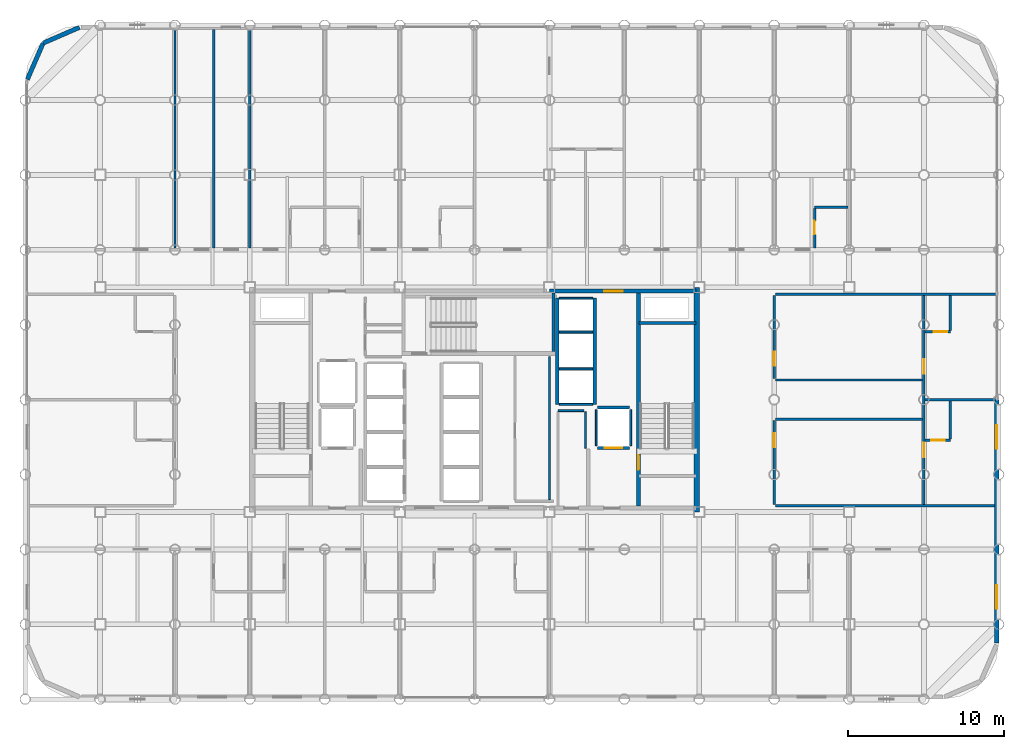
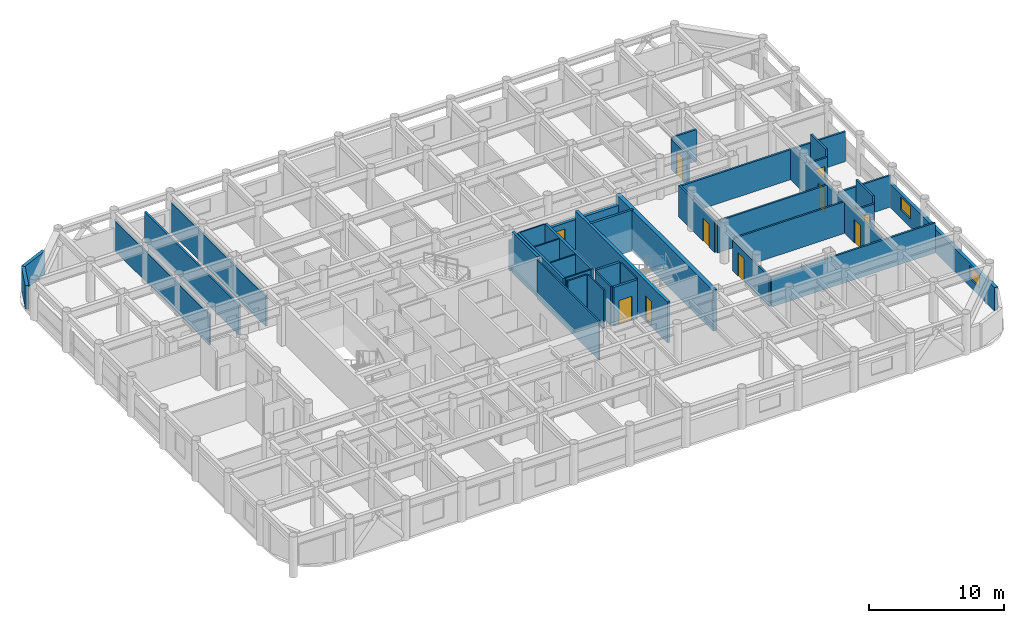
# One storey, part 20 of 22: 38 walls, 10 doors, 2 windows, 12 openings.
"""IFC4 building model written with IfcOpenShell, lengths in metres."""

import ifcopenshell
import ifcopenshell.guid

model = None  # the IFC model being written
_history = None  # IfcOwnerHistory: only IFC2X3 demands one
_inside = {}  # id of a spatial element -> (the spatial element, [elements in it])
_under = {}  # id of a project, library or spatial element -> (it, [spatial elements below it])
_declared = {}  # id of a project -> (the project, [libraries it declares])
_typed = {}  # id of a type object -> (the type object, [elements of that type])
_made_of = {}  # id of a material, layer set ... -> (it, [elements and type objects made of it])


def new_model(schema):
    """Start an empty IFC model of exactly this schema.

    Asked for "IFC4X3", IfcOpenShell would pick the latest addendum, in which some entities
    have other attributes; the version numbers below select the first issue.
    IFC2X3 requires an IfcOwnerHistory on every rooted entity: one is made here for all.
    """
    global model, _history
    if schema == "IFC4X3":
        model = ifcopenshell.file(schema_version=(4, 3, 0, 0))
    else:
        model = ifcopenshell.file(schema=schema)
    _inside.clear()
    _under.clear()
    _declared.clear()
    _typed.clear()
    _made_of.clear()
    _history = None
    if model.schema == "IFC2X3":
        org = make("IfcOrganization", Name="unknown")
        user = make(
            "IfcPersonAndOrganization",
            ThePerson=make("IfcPerson", FamilyName="unknown"),
            TheOrganization=org,
        )
        app = make(
            "IfcApplication",
            ApplicationDeveloper=org,
            Version="unknown",
            ApplicationFullName="unknown",
            ApplicationIdentifier="unknown",
        )
        _history = make(
            "IfcOwnerHistory",
            OwningUser=user,
            OwningApplication=app,
            ChangeAction="ADDED",
            CreationDate=0,
        )
    return model


def make(cls, **values):
    """One entity of the class cls with the attributes given. An attribute that is None is left unset."""
    return model.create_entity(
        cls, **{name: value for name, value in values.items() if value is not None}
    )


def rooted(cls, **values):
    """An entity with a GlobalId (a new one), such as an element, a storey or a relation."""
    return make(cls, GlobalId=ifcopenshell.guid.new(), OwnerHistory=_history, **values)


def si_unit(unit_type, name, prefix=None):
    """IfcSIUnit, for example si_unit("LENGTHUNIT", "METRE", prefix="MILLI")."""
    return make("IfcSIUnit", UnitType=unit_type, Prefix=prefix, Name=name)


def assignment(units):
    """IfcUnitAssignment: the units of a project."""
    return None if units is None else make("IfcUnitAssignment", Units=units)


def point(xyz):
    """IfcCartesianPoint."""
    return None if xyz is None else make("IfcCartesianPoint", Coordinates=xyz)


def direction(xyz):
    """IfcDirection."""
    return None if xyz is None else make("IfcDirection", DirectionRatios=xyz)


def frame(location, z_axis=None, x_axis=None):
    """IfcAxis2Placement3D, a coordinate frame: its origin and axes. An axis left out is left unset."""
    return make(
        "IfcAxis2Placement3D",
        Location=point(location),
        Axis=direction(z_axis),
        RefDirection=direction(x_axis),
    )


def frame_2d(location, x_axis=None):
    """IfcAxis2Placement2D, a coordinate frame in the plane: its origin and x axis."""
    return make(
        "IfcAxis2Placement2D", Location=point(location), RefDirection=direction(x_axis)
    )


def origin():
    """The frame at (0, 0, 0) with its axes left unset."""
    return frame((0.0, 0.0, 0.0))


def place(relative_to, where):
    """IfcLocalPlacement: puts the frame where relative to a parent placement (None: the world)."""
    return make(
        "IfcLocalPlacement", PlacementRelTo=relative_to, RelativePlacement=where
    )


def context(
    kind, dimensions, precision=None, world=None, true_north=None, identifier=None
):
    """IfcGeometricRepresentationContext, for example the 3D "Model" context."""
    return make(
        "IfcGeometricRepresentationContext",
        ContextIdentifier=identifier,
        ContextType=kind,
        CoordinateSpaceDimension=dimensions,
        Precision=precision,
        WorldCoordinateSystem=world,
        TrueNorth=true_north,
    )


def subcontext(parent, identifier, kind, view, scale=None):
    """IfcGeometricRepresentationSubContext, for example "Body" below "Model"."""
    return make(
        "IfcGeometricRepresentationSubContext",
        ContextIdentifier=identifier,
        ContextType=kind,
        ParentContext=parent,
        TargetScale=scale,
        TargetView=view,
    )


def project(units=None, contexts=None):
    """IfcProject with its units and contexts."""
    return rooted(
        "IfcProject",
        Name="project",
        RepresentationContexts=contexts,
        UnitsInContext=assignment(units),
    )


def spatial(cls, under=None, at=None, **own):
    """A site, building, storey or space (cls), placed at a placement, below another one or the project."""
    s = rooted(cls, ObjectPlacement=at, **own)
    if under is not None:
        _under.setdefault(under.id(), (under, []))[1].append(s)
    return s


def profile(cls, at=None, kind="AREA", **sizes):
    """A parametric profile (cls). Its sizes go by their IFC names, for example OverallWidth=200.0."""
    return make(cls, ProfileType=kind, Position=at, **sizes)


def rectangle(**sizes):
    """IfcRectangleProfileDef."""
    return profile("IfcRectangleProfileDef", **sizes)


def extrude(swept, where, along, depth):
    """IfcExtrudedAreaSolid: the profile swept, set in the frame where, extruded along a direction by depth."""
    return make(
        "IfcExtrudedAreaSolid",
        SweptArea=swept,
        Position=where,
        ExtrudedDirection=direction(along),
        Depth=depth,
    )


def shape(context_of_items, identifier, shape_type, items):
    """IfcShapeRepresentation: the items that make up one representation, for example the "Body"."""
    return make(
        "IfcShapeRepresentation",
        ContextOfItems=context_of_items,
        RepresentationIdentifier=identifier,
        RepresentationType=shape_type,
        Items=items,
    )


def material(Name=None, Category=None):
    """IfcMaterial."""
    return make("IfcMaterial", Name=Name, Category=Category)


def layer(
    of_material, thickness, ventilated=None, Name=None, Category=None, Priority=None
):
    """IfcMaterialLayer: one layer of a wall or slab, of a material (None: an air gap)."""
    return make(
        "IfcMaterialLayer",
        Material=of_material,
        LayerThickness=thickness,
        IsVentilated=ventilated,
        Name=Name,
        Category=Category,
        Priority=Priority,
    )


def layer_set(layers, Name=None):
    """IfcMaterialLayerSet."""
    return make("IfcMaterialLayerSet", MaterialLayers=layers, LayerSetName=Name)


def made_of(thing, what):
    """Note that an element or type object is made of a material, layer set ...; save() writes the relation."""
    if what is not None:
        _made_of.setdefault(what.id(), (what, []))[1].append(thing)
    return thing


def type_object(cls, material=None, **own):
    """A type object (cls), such as IfcWallType, which elements share."""
    return made_of(rooted(cls, **own), material)


def element(
    cls,
    number,
    at=None,
    inside=None,
    cuts=None,
    type_object=None,
    material=None,
    context=None,
    identifier="Body",
    shape_type=None,
    held_by="IfcProductDefinitionShape",
    body=None,
    shapes=None,
    **own,
):
    """One element of the class cls, such as IfcWall. Its Tag is "e" and its number.

    at: its placement. inside: the storey or other place that contains it. cuts: it is an
    opening in that element (IfcRelVoidsElement). A single representation is given by context,
    identifier, shape_type and body (its items); several are given by shapes. held_by: the class
    of the entity that holds the representations. save() writes the other relations.
    """
    e = rooted(cls, Tag="e%d" % number, ObjectPlacement=at, **own)
    if body is not None:
        shapes = [shape(context, identifier, shape_type, body)]
    if shapes is not None:
        e.Representation = make(held_by, Representations=shapes)
    if inside is not None:
        _inside.setdefault(inside.id(), (inside, []))[1].append(e)
    if cuts is not None:
        rooted(
            "IfcRelVoidsElement", RelatingBuildingElement=cuts, RelatedOpeningElement=e
        )
    if type_object is not None:
        _typed.setdefault(type_object.id(), (type_object, []))[1].append(e)
    return made_of(e, material)


def fill(opening, filler):
    """IfcRelFillsElement: the door or window that sits in an opening."""
    return rooted(
        "IfcRelFillsElement",
        RelatingOpeningElement=opening,
        RelatedBuildingElement=filler,
    )


def aggregate(whole, parts):
    """IfcRelAggregates: a whole, such as a stair, and the parts it consists of."""
    return rooted("IfcRelAggregates", RelatingObject=whole, RelatedObjects=parts)


def save(model, path):
    """Write the relations noted so far, then the file.

    IfcRelAggregates (storeys below a building ...), IfcRelContainedInSpatialStructure (elements
    in a storey), IfcRelDefinesByType, IfcRelAssociatesMaterial and IfcRelDeclares: one each for
    every whole, place, type object, material and project.
    """
    for whole, parts in _under.values():
        aggregate(whole, parts)
    for where, things in _inside.values():
        rooted(
            "IfcRelContainedInSpatialStructure",
            RelatedElements=things,
            RelatingStructure=where,
        )
    for kind, things in _typed.values():
        rooted("IfcRelDefinesByType", RelatedObjects=things, RelatingType=kind)
    for what, things in _made_of.values():
        rooted("IfcRelAssociatesMaterial", RelatedObjects=things, RelatingMaterial=what)
    for by, libraries in _declared.values():
        rooted("IfcRelDeclares", RelatingContext=by, RelatedDefinitions=libraries)
    model.write(path)


model = new_model("IFC4")

# Units and contexts
model_context = context("Model", 3, precision=1e-05, world=origin(), true_north=direction((0.0, 1.0)))
body_context = subcontext(model_context, "Body", "Model", "MODEL_VIEW")
ifc_project = project(units=[si_unit("LENGTHUNIT", "METRE"), si_unit("AREAUNIT", "SQUARE_METRE"), si_unit("VOLUMEUNIT", "CUBIC_METRE"), si_unit("PLANEANGLEUNIT", "RADIAN"), si_unit("MASSUNIT", "GRAM", prefix="KILO")], contexts=[model_context])

# Site, building, storey
site_placement = place(None, origin())
site = spatial("IfcSite", under=ifc_project, at=site_placement, CompositionType="ELEMENT")
building_placement = place(site_placement, origin())
building = spatial("IfcBuilding", under=site, at=building_placement, Name="Kallvorn Hotel Tower", CompositionType="ELEMENT")
storey_placement = place(building_placement, frame((0.0, 0.0, 110.0)))
storey = spatial("IfcBuildingStorey", under=building, at=storey_placement, Name="L26", CompositionType="ELEMENT", Elevation=110.0)

# Walls
ifc_material_1 = material(Name="Concrete C50/60", Category="concrete")
ifc_layer_1 = layer(ifc_material_1, 0.35009765625)
ifc_layer_set_1 = layer_set([ifc_layer_1], Name="WL_CORE_350")
wall_type_1 = type_object("IfcWallType", Name="WL_CORE_350", PredefinedType="SHEAR", material=ifc_layer_set_1)
wall_1_placement = place(storey_placement, frame((14.239990234375, -7.199951171875, -0.179931640625), z_axis=(0.0, 0.0, 1.0), x_axis=(0.0, 1.0, 0.0)))
element("IfcWall", 1, at=wall_1_placement, inside=storey, type_object=wall_type_1, Name="L26 Core East Shear Wall", PredefinedType="SHEAR", context=body_context, shape_type="SweptSolid", body=[
    extrude(rectangle(XDim=14.39990234375, YDim=0.35009765625, at=frame_2d((7.199951171875, 0.0))), origin(), (0.0, 0.0, 1.0), 3.699951171875),
])
ifc_material_2 = material(Name="Fire-rated double-layer acoustic gypsum drywall EI 60")
ifc_layer_2 = layer(ifc_material_2, 0.159912109375)
ifc_layer_set_2 = layer_set([ifc_layer_2], Name="WL_DEMISE_160")
wall_type_2 = type_object("IfcWallType", Name="WL_DEMISE_160", PredefinedType="PARTITIONING", material=ifc_layer_set_2)
wall_2_placement = place(storey_placement, frame((19.280029296875, -6.800048828125, 0.0), z_axis=(0.0, 0.0, 1.0), x_axis=(1.0, 0.0, 0.0)))
element("IfcWall", 2, at=wall_2_placement, inside=storey, type_object=wall_type_2, Name="L26 Suite 2603 E Loggia King Room Partition", PredefinedType="PARTITIONING", context=body_context, shape_type="SweptSolid", body=[
    extrude(rectangle(XDim=14.030029296875, YDim=0.159912109375, at=frame_2d((7.01513671875, 0.0))), origin(), (0.0, 0.0, 1.0), 2.719970703125),
])

# Wall, opening, door
wall_3_placement = place(storey_placement, frame((28.8798828125, -2.60009765625, 0.0), z_axis=(0.0, 0.0, 1.0), x_axis=(1.0, 0.0, 0.0)))
wall_3 = element("IfcWall", 3, at=wall_3_placement, inside=storey, type_object=wall_type_2, Name="L26 Suite 2603 E Loggia King Room Partition", PredefinedType="PARTITIONING", context=body_context, shape_type="SweptSolid", body=[
    extrude(rectangle(XDim=1.6201171875, YDim=0.159912109375, at=frame_2d((0.81005859375, 0.0))), origin(), (0.0, 0.0, 1.0), 2.8701171875),
])
opening_1_placement = place(wall_3_placement, frame((0.3798828125, 0.0, 0.0)))
opening_1 = element("IfcOpeningElement", 4, at=opening_1_placement, cuts=wall_3, Name="Opening BD-I", PredefinedType="OPENING", context=body_context, shape_type="SweptSolid", body=[
    extrude(rectangle(XDim=0.860107421875, YDim=2.10009765625, at=frame_2d((0.43017578125, 1.050048828125))), frame((0.0, 0.094970703125, 0.0), z_axis=(0.0, -1.0, 0.0), x_axis=(1.0, 0.0, 0.0)), (0.0, 0.0, 1.0), 0.18994140625),
])
ifc_material_3 = material(Name="Solid-core walnut veneer fire-rated timber door leaf", Category="wood")
door_type_1 = type_object("IfcDoorType", Name="DR_BATH_860x2100", OperationType="NOTDEFINED", PredefinedType="DOOR", material=ifc_material_3)
door_1_placement = place(opening_1_placement, origin())
door_1 = element("IfcDoor", 5, at=door_1_placement, inside=storey, type_object=door_type_1, Name="L26 Suite 2603 En-Suite Bathroom Door", OperationType="SINGLE_SWING_RIGHT", OverallHeight=2.10009765625, OverallWidth=0.860107421875, PredefinedType="DOOR", context=body_context, shape_type="SweptSolid", body=[
    extrude(rectangle(XDim=0.860107421875, YDim=2.10009765625, at=frame_2d((0.43017578125, 1.050048828125))), frame((0.0, 0.02490234375, 0.0), z_axis=(0.0, -1.0, 0.0), x_axis=(1.0, 0.0, 0.0)), (0.0, 0.0, 1.0), 0.050048828125),
])
fill(opening_1, door_1)

# Wall
wall_4_placement = place(storey_placement, frame((28.8798828125, 0.0, 0.0), z_axis=(0.0, 0.0, 1.0), x_axis=(1.0, 0.0, 0.0)))
element("IfcWall", 6, at=wall_4_placement, inside=storey, type_object=wall_type_2, Name="L26 Suite 2604 E Andean Twin Room Partition", PredefinedType="PARTITIONING", context=body_context, shape_type="SweptSolid", body=[
    extrude(rectangle(XDim=4.550048828125, YDim=0.159912109375, at=frame_2d((2.27490234375, 0.0))), origin(), (0.0, 0.0, 1.0), 2.8701171875),
])

# Wall, opening, door
wall_5_placement = place(storey_placement, frame((28.8798828125, 4.35009765625, 0.0), z_axis=(0.0, 0.0, 1.0), x_axis=(1.0, 0.0, 0.0)))
wall_5 = element("IfcWall", 7, at=wall_5_placement, inside=storey, type_object=wall_type_2, Name="L26 Suite 2604 E Andean Twin Room Partition", PredefinedType="PARTITIONING", context=body_context, shape_type="SweptSolid", body=[
    extrude(rectangle(XDim=1.6201171875, YDim=0.159912109375, at=frame_2d((0.81005859375, 0.0))), origin(), (0.0, 0.0, 1.0), 2.8701171875),
])
opening_2_placement = place(wall_5_placement, frame((0.5400390625, 0.0, 0.0)))
opening_2 = element("IfcOpeningElement", 8, at=opening_2_placement, cuts=wall_5, Name="Opening BD-I", PredefinedType="OPENING", context=body_context, shape_type="SweptSolid", body=[
    extrude(rectangle(XDim=0.860107421875, YDim=2.10009765625, at=frame_2d((0.43017578125, 1.050048828125))), frame((0.0, 0.094970703125, 0.0), z_axis=(0.0, -1.0, 0.0), x_axis=(1.0, 0.0, 0.0)), (0.0, 0.0, 1.0), 0.18994140625),
])
door_2_placement = place(opening_2_placement, origin())
door_2 = element("IfcDoor", 9, at=door_2_placement, inside=storey, type_object=door_type_1, Name="L26 Suite 2604 En-Suite Bathroom Door", OperationType="SINGLE_SWING_LEFT", OverallHeight=2.10009765625, OverallWidth=0.860107421875, PredefinedType="DOOR", context=body_context, shape_type="SweptSolid", body=[
    extrude(rectangle(XDim=0.860107421875, YDim=2.10009765625, at=frame_2d((0.43017578125, 1.050048828125))), frame((0.0, 0.02490234375, 0.0), z_axis=(0.0, -1.0, 0.0), x_axis=(1.0, 0.0, 0.0)), (0.0, 0.0, 1.0), 0.050048828125),
])
fill(opening_2, door_2)

# Walls
wall_6_placement = place(storey_placement, frame((19.280029296875, 6.75830078125, 0.0), z_axis=(0.0, 0.0, 1.0), x_axis=(1.0, 0.0, 0.0)))
element("IfcWall", 10, at=wall_6_placement, inside=storey, type_object=wall_type_2, Name="L26 Suite 2604 E Andean Twin Room Partition", PredefinedType="PARTITIONING", context=body_context, shape_type="SweptSolid", body=[
    extrude(rectangle(XDim=14.14990234375, YDim=0.159912109375, at=frame_2d((7.074951171875, 0.0))), origin(), (0.0, 0.0, 1.0), 2.719970703125),
])
wall_7_placement = place(storey_placement, frame((21.7900390625, 12.320068359375, 0.0), z_axis=(0.0, 0.0, 1.0), x_axis=(1.0, 0.0, 0.0)))
element("IfcWall", 11, at=wall_7_placement, inside=storey, type_object=wall_type_2, Name="L26 Suite 2615 Standard Twin Room Partition", PredefinedType="PARTITIONING", context=body_context, shape_type="SweptSolid", body=[
    extrude(rectangle(XDim=2.1298828125, YDim=0.159912109375, at=frame_2d((1.06494140625, 0.0))), origin(), (0.0, 0.0, 1.0), 2.8701171875),
])
wall_8_placement = place(storey_placement, frame((-14.39990234375, 9.719970703125, 0.0), z_axis=(0.0, 0.0, 1.0), x_axis=(0.0, 1.0, 0.0)))
element("IfcWall", 12, at=wall_8_placement, inside=storey, type_object=wall_type_2, Name="L26 Suite 2611 Standard Twin Room Partition", PredefinedType="PARTITIONING", context=body_context, shape_type="SweptSolid", body=[
    extrude(rectangle(XDim=13.989990234375, YDim=0.159912109375, at=frame_2d((6.9951171875, 0.0))), origin(), (0.0, 0.0, 1.0), 2.719970703125),
])

# Wall, opening, door
wall_9_placement = place(storey_placement, frame((21.7900390625, 9.719970703125, 0.0), z_axis=(0.0, 0.0, 1.0), x_axis=(0.0, 1.0, 0.0)))
wall_9 = element("IfcWall", 13, at=wall_9_placement, inside=storey, type_object=wall_type_2, Name="L26 Suite 2615 Standard Twin Room Partition", PredefinedType="PARTITIONING", context=body_context, shape_type="SweptSolid", body=[
    extrude(rectangle(XDim=2.51513671875, YDim=0.159912109375, at=frame_2d((1.257568359375, 0.0))), origin(), (0.0, 0.0, 1.0), 2.719970703125),
])
opening_3_placement = place(wall_9_placement, frame((0.8701171875, 0.0, 0.0)))
opening_3 = element("IfcOpeningElement", 14, at=opening_3_placement, cuts=wall_9, Name="Opening BD-I", PredefinedType="OPENING", context=body_context, shape_type="SweptSolid", body=[
    extrude(rectangle(XDim=0.860107421875, YDim=2.10009765625, at=frame_2d((0.43017578125, 1.050048828125))), frame((0.0, 0.094970703125, 0.0), z_axis=(0.0, -1.0, 0.0), x_axis=(1.0, 0.0, 0.0)), (0.0, 0.0, 1.0), 0.18994140625),
])
door_3_placement = place(opening_3_placement, origin())
door_3 = element("IfcDoor", 15, at=door_3_placement, inside=storey, type_object=door_type_1, Name="L26 Suite 2615 En-Suite Bathroom Door", OperationType="SINGLE_SWING_RIGHT", OverallHeight=2.10009765625, OverallWidth=0.860107421875, PredefinedType="DOOR", context=body_context, shape_type="SweptSolid", body=[
    extrude(rectangle(XDim=0.860107421875, YDim=2.10009765625, at=frame_2d((0.43017578125, 1.050048828125))), frame((0.0, 0.02490234375, 0.0), z_axis=(0.0, -1.0, 0.0), x_axis=(1.0, 0.0, 0.0)), (0.0, 0.0, 1.0), 0.050048828125),
])
fill(opening_3, door_3)

# Wall, openings, doors
wall_10_placement = place(storey_placement, frame((28.800048828125, -6.715087890625, 0.0), z_axis=(0.0, 0.0, 1.0), x_axis=(0.0, 1.0, 0.0)))
wall_10 = element("IfcWall", 16, at=wall_10_placement, inside=storey, type_object=wall_type_2, Name="L26 Suite 2603 E Loggia King Room Partition", PredefinedType="PARTITIONING", context=body_context, shape_type="SweptSolid", body=[
    extrude(rectangle(XDim=13.388427734375, YDim=0.159912109375, at=frame_2d((6.6943359375, 0.0))), origin(), (0.0, 0.0, 1.0), 2.8701171875),
])
opening_4_placement = place(wall_10_placement, frame((3.034912109375, 0.0, 0.0)))
opening_4 = element("IfcOpeningElement", 17, at=opening_4_placement, cuts=wall_10, Name="Opening GD1", PredefinedType="OPENING", context=body_context, shape_type="SweptSolid", body=[
    extrude(rectangle(XDim=0.919921875, YDim=2.14990234375, at=frame_2d((0.4599609375, 1.074951171875))), frame((0.0, 0.094970703125, 0.0), z_axis=(0.0, -1.0, 0.0), x_axis=(1.0, 0.0, 0.0)), (0.0, 0.0, 1.0), 0.18994140625),
])
opening_5_placement = place(wall_10_placement, frame((8.385009765625, 0.0, 0.0)))
opening_5 = element("IfcOpeningElement", 18, at=opening_5_placement, cuts=wall_10, Name="Opening GD1", PredefinedType="OPENING", context=body_context, shape_type="SweptSolid", body=[
    extrude(rectangle(XDim=0.919921875, YDim=2.14990234375, at=frame_2d((0.4599609375, 1.074951171875))), frame((0.0, 0.094970703125, 0.0), z_axis=(0.0, -1.0, 0.0), x_axis=(1.0, 0.0, 0.0)), (0.0, 0.0, 1.0), 0.18994140625),
])
ifc_material_4 = material(Name="Solid-core walnut veneer fire-rated timber door leaf", Category="wood")
door_type_2 = type_object("IfcDoorType", Name="DR_GUEST_920x2150", OperationType="NOTDEFINED", PredefinedType="DOOR", material=ifc_material_4)
door_4_placement = place(opening_4_placement, origin())
door_4 = element("IfcDoor", 19, at=door_4_placement, inside=storey, type_object=door_type_2, Name="L26 Suite 2603 E Loggia King Room Door", OperationType="SINGLE_SWING_LEFT", OverallHeight=2.14990234375, OverallWidth=0.919921875, PredefinedType="DOOR", context=body_context, shape_type="SweptSolid", body=[
    extrude(rectangle(XDim=0.919921875, YDim=2.14990234375, at=frame_2d((0.4599609375, 1.074951171875))), frame((0.0, 0.02490234375, 0.0), z_axis=(0.0, -1.0, 0.0), x_axis=(1.0, 0.0, 0.0)), (0.0, 0.0, 1.0), 0.050048828125),
])
fill(opening_4, door_4)
door_5_placement = place(opening_5_placement, origin())
door_5 = element("IfcDoor", 20, at=door_5_placement, inside=storey, type_object=door_type_2, Name="L26 Suite 2604 E Andean Twin Room Door", OperationType="SINGLE_SWING_RIGHT", OverallHeight=2.14990234375, OverallWidth=0.919921875, PredefinedType="DOOR", context=body_context, shape_type="SweptSolid", body=[
    extrude(rectangle(XDim=0.919921875, YDim=2.14990234375, at=frame_2d((0.4599609375, 1.074951171875))), frame((0.0, 0.02490234375, 0.0), z_axis=(0.0, -1.0, 0.0), x_axis=(1.0, 0.0, 0.0)), (0.0, 0.0, 1.0), 0.050048828125),
])
fill(opening_5, door_5)

# Walls
wall_11_placement = place(storey_placement, frame((30.5, -2.514892578125, 0.0), z_axis=(0.0, 0.0, 1.0), x_axis=(0.0, 1.0, 0.0)))
element("IfcWall", 21, at=wall_11_placement, inside=storey, type_object=wall_type_2, Name="L26 Suite 2603 E Loggia King Room Partition", PredefinedType="PARTITIONING", context=body_context, shape_type="SweptSolid", body=[
    extrude(rectangle(XDim=2.414794921875, YDim=0.159912109375, at=frame_2d((1.20751953125, 0.0))), origin(), (0.0, 0.0, 1.0), 3.52001953125),
])
wall_12_placement = place(storey_placement, frame((30.5, 4.43505859375, 0.0), z_axis=(0.0, 0.0, 1.0), x_axis=(0.0, 1.0, 0.0)))
element("IfcWall", 22, at=wall_12_placement, inside=storey, type_object=wall_type_2, Name="L26 Suite 2604 E Andean Twin Room Partition", PredefinedType="PARTITIONING", context=body_context, shape_type="SweptSolid", body=[
    extrude(rectangle(XDim=2.23828125, YDim=0.159912109375, at=frame_2d((1.119140625, 0.0))), origin(), (0.0, 0.0, 1.0), 3.52001953125),
])
ifc_material_5 = material(Name="Precast basalt-clad insulated concrete wall C40/50", Category="masonry")
ifc_layer_3 = layer(ifc_material_5, 0.280029296875)
ifc_layer_set_3 = layer_set([ifc_layer_3], Name="WL_EXT_LOGGIA_280")
wall_type_3 = type_object("IfcWallType", Name="WL_EXT_LOGGIA_280", PredefinedType="SOLIDWALL", material=ifc_layer_set_3)
wall_13_placement = place(storey_placement, frame((-25.32080078125, 23.85791015625, 0.0), z_axis=(0.0, 0.0, 1.0), x_axis=(-0.917060872934, -0.398747232384, 0.0)))
element("IfcWall", 23, at=wall_13_placement, inside=storey, type_object=wall_type_3, Name="L26 Rounded Corner Exterior Wall NW1", PredefinedType="SOLIDWALL", context=body_context, shape_type="SweptSolid", body=[
    extrude(rectangle(XDim=2.5361328125, YDim=0.280029296875, at=frame_2d((1.26806640625, 0.0))), origin(), (0.0, 0.0, 1.0), 2.1201171875),
])
wall_14_placement = place(storey_placement, frame((-27.646484375, 22.8466796875, 0.0), z_axis=(0.0, 0.0, 1.0), x_axis=(-0.398792985289, -0.917040977756, 0.0)))
element("IfcWall", 24, at=wall_14_placement, inside=storey, type_object=wall_type_3, Name="L26 Rounded Corner Exterior Wall NW2", PredefinedType="SOLIDWALL", context=body_context, shape_type="SweptSolid", body=[
    extrude(rectangle(XDim=2.536376953125, YDim=0.280029296875, at=frame_2d((1.26806640625, 0.0))), origin(), (0.0, 0.0, 1.0), 2.1201171875),
])

# Wall, openings, windows
wall_15_placement = place(storey_placement, frame((33.4599609375, -15.60009765625, 0.0), z_axis=(0.0, 0.0, 1.0), x_axis=(0.0, 1.0, 0.0)))
wall_15 = element("IfcWall", 25, at=wall_15_placement, inside=storey, type_object=wall_type_3, Name="L26 Exterior Envelope Wall EW-L26-ES", PredefinedType="SOLIDWALL", context=body_context, shape_type="SweptSolid", body=[
    extrude(rectangle(XDim=15.580078125, YDim=0.280029296875, at=frame_2d((7.7900390625, 0.0))), origin(), (0.0, 0.0, 1.0), 2.1201171875),
])
opening_6_placement = place(wall_15_placement, frame((2.18994140625, 0.0, 0.75)))
opening_6 = element("IfcOpeningElement", 26, at=opening_6_placement, cuts=wall_15, Name="Opening W05A", PredefinedType="OPENING", context=body_context, shape_type="SweptSolid", body=[
    extrude(rectangle(XDim=1.5, YDim=1.14990234375, at=frame_2d((0.75, 0.574951171875))), frame((0.0, 0.155029296875, 0.0), z_axis=(0.0, -1.0, 0.0), x_axis=(1.0, 0.0, 0.0)), (0.0, 0.0, 1.0), 0.31005859375),
])
opening_7_placement = place(wall_15_placement, frame((12.449951171875, 0.0, 0.75)))
opening_7 = element("IfcOpeningElement", 27, at=opening_7_placement, cuts=wall_15, Name="Opening W05A", PredefinedType="OPENING", context=body_context, shape_type="SweptSolid", body=[
    extrude(rectangle(XDim=1.5, YDim=1.14990234375, at=frame_2d((0.75, 0.574951171875))), frame((0.0, 0.155029296875, 0.0), z_axis=(0.0, -1.0, 0.0), x_axis=(1.0, 0.0, 0.0)), (0.0, 0.0, 1.0), 0.31005859375),
])
ifc_material_6 = material(Name="Double-glazed low-e solar-control dark glass", Category="glass")
window_type = type_object("IfcWindowType", Name="WN_HTL_1500x1150", PartitioningType="SINGLE_PANEL", PredefinedType="WINDOW", material=ifc_material_6)
window_1_placement = place(opening_6_placement, origin())
window_1 = element("IfcWindow", 28, at=window_1_placement, inside=storey, type_object=window_type, Name="L26 Flank Wing Window 02", OverallHeight=1.14990234375, OverallWidth=1.5, PartitioningType="SINGLE_PANEL", PredefinedType="WINDOW", context=body_context, shape_type="SweptSolid", body=[
    extrude(rectangle(XDim=1.5, YDim=1.14990234375, at=frame_2d((0.75, 0.574951171875))), frame((0.0, 0.030029296875, 0.0), z_axis=(0.0, -1.0, 0.0), x_axis=(1.0, 0.0, 0.0)), (0.0, 0.0, 1.0), 0.06005859375),
])
fill(opening_6, window_1)
window_2_placement = place(opening_7_placement, origin())
window_2 = element("IfcWindow", 29, at=window_2_placement, inside=storey, type_object=window_type, Name="L26 Flank Wing Window 04", OverallHeight=1.14990234375, OverallWidth=1.5, PartitioningType="SINGLE_PANEL", PredefinedType="WINDOW", context=body_context, shape_type="SweptSolid", body=[
    extrude(rectangle(XDim=1.5, YDim=1.14990234375, at=frame_2d((0.75, 0.574951171875))), frame((0.0, 0.030029296875, 0.0), z_axis=(0.0, -1.0, 0.0), x_axis=(1.0, 0.0, 0.0)), (0.0, 0.0, 1.0), 0.06005859375),
])
fill(opening_7, window_2)

# Walls
ifc_material_7 = material(Name="Concrete C40/50", Category="concrete")
ifc_layer_4 = layer(ifc_material_7, 0.199951171875)
ifc_layer_set_4 = layer_set([ifc_layer_4], Name="WL_HOIST_200")
wall_type_4 = type_object("IfcWallType", Name="WL_HOIST_200", PredefinedType="SOLIDWALL", material=ifc_layer_set_4)
wall_16_placement = place(storey_placement, frame((10.550048828125, 4.89990234375, -0.179931640625), z_axis=(0.0, 0.0, 1.0), x_axis=(1.0, 0.0, 0.0)))
element("IfcWall", 30, at=wall_16_placement, inside=storey, type_object=wall_type_4, Name="L26 Stair ST2 North Wall", PredefinedType="SOLIDWALL", context=body_context, shape_type="SweptSolid", body=[
    extrude(rectangle(XDim=3.64990234375, YDim=0.199951171875, at=frame_2d((1.824951171875, 0.0))), origin(), (0.0, 0.0, 1.0), 3.699951171875),
])
wall_17_placement = place(storey_placement, frame((5.06005859375, 3.080078125, -0.179931640625), z_axis=(0.0, 0.0, 1.0), x_axis=(0.0, 1.0, 0.0)))
element("IfcWall", 31, at=wall_17_placement, inside=storey, type_object=wall_type_4, Name="L26 Stair ST3 East Wall", PredefinedType="SOLIDWALL", context=body_context, shape_type="SweptSolid", body=[
    extrude(rectangle(XDim=3.739990234375, YDim=0.199951171875, at=frame_2d((1.8701171875, 0.0))), origin(), (0.0, 0.0, 1.0), 3.699951171875),
])
for number, where, z_axis, x_axis, name in (
    (32, (7.699951171875, -0.300048828125, 0.0), (0.0, 0.0, 1.0), (0.0, 1.0, 0.0), "L26 Lift Bank OBS Landing Wall"),
    (33, (5.300048828125, -0.300048828125, 0.0), (0.0, 0.0, 1.0), (0.0, 1.0, 0.0), "L26 Lift Bank OBS Rear Shaft Wall"),
):
    element("IfcWall", number, at=place(storey_placement, frame(where, z_axis=z_axis, x_axis=x_axis)), inside=storey, type_object=wall_type_4, Name=name, PredefinedType="SOLIDWALL", context=body_context, shape_type="SweptSolid", body=[
        extrude(rectangle(XDim=6.800048828125, YDim=0.199951171875, at=frame_2d((3.39990234375, 0.0))), origin(), (0.0, 0.0, 1.0), 3.52001953125),
    ])

# Wall, opening, door
wall_18_placement = place(storey_placement, frame((7.8798828125, -3.10009765625, 0.0), z_axis=(0.0, 0.0, 1.0), x_axis=(1.0, 0.0, 0.0)))
wall_18 = element("IfcWall", 34, at=wall_18_placement, inside=storey, type_object=wall_type_4, Name="L26 FL-2 Landing Wall", PredefinedType="SOLIDWALL", context=body_context, shape_type="SweptSolid", body=[
    extrude(rectangle(XDim=2.0400390625, YDim=0.199951171875, at=frame_2d((1.02001953125, 0.0))), origin(), (0.0, 0.0, 1.0), 3.52001953125),
])
opening_8_placement = place(wall_18_placement, frame((0.469970703125, 0.0, 0.0)))
opening_8 = element("IfcOpeningElement", 35, at=opening_8_placement, cuts=wall_18, Name="Opening LD-FL-2", PredefinedType="OPENING", context=body_context, shape_type="SweptSolid", body=[
    extrude(rectangle(XDim=1.10009765625, YDim=2.199951171875, at=frame_2d((0.550048828125, 1.10009765625))), frame((0.0, 0.114990234375, 0.0), z_axis=(0.0, -1.0, 0.0), x_axis=(1.0, 0.0, 0.0)), (0.0, 0.0, 1.0), 0.22998046875),
])
ifc_material_8 = material(Name="Brushed stainless-steel automatic sliding lift landing door", Category="steel")
door_type_3 = type_object("IfcDoorType", Name="LD_PASS_1100x2200", OperationType="SLIDING_TO_LEFT", PredefinedType="DOOR", material=ifc_material_8)
door_6_placement = place(opening_8_placement, origin())
door_6 = element("IfcDoor", 36, at=door_6_placement, inside=storey, type_object=door_type_3, Name="L26 Lift Landing Sliding Door LD-FL-2", OperationType="SLIDING_TO_LEFT", OverallHeight=2.199951171875, OverallWidth=1.10009765625, PredefinedType="DOOR", context=body_context, shape_type="SweptSolid", body=[
    extrude(rectangle(XDim=1.10009765625, YDim=2.199951171875, at=frame_2d((0.550048828125, 1.10009765625))), frame((0.0, 0.02490234375, 0.0), z_axis=(0.0, -1.0, 0.0), x_axis=(1.0, 0.0, 0.0)), (0.0, 0.0, 1.0), 0.050048828125),
])
fill(opening_8, door_6)

# Walls
wall_19_placement = place(storey_placement, frame((7.8798828125, -0.5, 0.0), z_axis=(0.0, 0.0, 1.0), x_axis=(1.0, 0.0, 0.0)))
element("IfcWall", 37, at=wall_19_placement, inside=storey, type_object=wall_type_4, Name="L26 FL-2 Rear Shaft Wall", PredefinedType="SOLIDWALL", context=body_context, shape_type="SweptSolid", body=[
    extrude(rectangle(XDim=2.0400390625, YDim=0.199951171875, at=frame_2d((1.02001953125, 0.0))), origin(), (0.0, 0.0, 1.0), 3.52001953125),
])
ifc_material_9 = material(Name="Fire-rated double-layer acoustic gypsum drywall EI 60")
ifc_layer_5 = layer(ifc_material_9, 0.1201171875)
ifc_layer_set_5 = layer_set([ifc_layer_5], Name="WL_INT_120")
wall_type_5 = type_object("IfcWallType", Name="WL_INT_120", PredefinedType="PARTITIONING", material=ifc_layer_set_5)
for number, where, z_axis, x_axis, name in (
    (38, (5.43994140625, -0.300048828125, 0.0), (0.0, 0.0, 1.0), (1.0, 0.0, 0.0), "L26 Lift Bank OBS South Closure Wall"),
    (39, (5.43994140625, 1.97509765625, 0.0), (0.0, 0.0, 1.0), (1.0, 0.0, 0.0), "L26 OB-01 Hoistway Divider"),
    (40, (5.43994140625, 4.324951171875, 0.0), (0.0, 0.0, 1.0), (1.0, 0.0, 0.0), "L26 OB-02 Hoistway Divider"),
    (41, (5.43994140625, 6.5, 0.0), (0.0, 0.0, 1.0), (1.0, 0.0, 0.0), "L26 OB-03 Hoistway Divider"),
):
    element("IfcWall", number, at=place(storey_placement, frame(where, z_axis=z_axis, x_axis=x_axis)), inside=storey, type_object=wall_type_5, Name=name, PredefinedType="PARTITIONING", context=body_context, shape_type="SweptSolid", body=[
        extrude(rectangle(XDim=2.1201171875, YDim=0.1201171875, at=frame_2d((1.06005859375, 0.0))), origin(), (0.0, 0.0, 1.0), 3.52001953125),
    ])
for number, where, z_axis, x_axis, name in (
    (42, (7.800048828125, -2.9599609375, 0.0), (0.0, 0.0, 1.0), (0.0, 1.0, 0.0), "L26 FL-2 West Shaft Wall"),
    (43, (10.0, -2.9599609375, 0.0), (0.0, 0.0, 1.0), (0.0, 1.0, 0.0), "L26 FL-2 East Shaft Wall"),
):
    element("IfcWall", number, at=place(storey_placement, frame(where, z_axis=z_axis, x_axis=x_axis)), inside=storey, type_object=wall_type_5, Name=name, PredefinedType="PARTITIONING", context=body_context, shape_type="SweptSolid", body=[
        extrude(rectangle(XDim=2.320068359375, YDim=0.1201171875, at=frame_2d((1.16015625, 0.0))), origin(), (0.0, 0.0, 1.0), 3.52001953125),
    ])
wall_20_placement = place(storey_placement, frame((5.35009765625, -0.699951171875, 0.0), z_axis=(0.0, 0.0, 1.0), x_axis=(1.0, 0.0, 0.0)))
element("IfcWall", 44, at=wall_20_placement, inside=storey, type_object=wall_type_5, Name="L26 Core Utility and Meter Room Partition", PredefinedType="PARTITIONING", context=body_context, shape_type="SweptSolid", body=[
    extrude(rectangle(XDim=1.64990234375, YDim=0.1201171875, at=frame_2d((0.824951171875, 0.0))), origin(), (0.0, 0.0, 1.0), 3.52001953125),
])
wall_21_placement = place(storey_placement, frame((4.800048828125, -6.4150390625, 0.0), z_axis=(0.0, 0.0, 1.0), x_axis=(0.0, 1.0, 0.0)))
element("IfcWall", 45, at=wall_21_placement, inside=storey, type_object=wall_type_5, Name="L26 East Core Consolidated Linen and Supply Store Partition", PredefinedType="PARTITIONING", context=body_context, shape_type="SweptSolid", body=[
    extrude(rectangle(XDim=9.1650390625, YDim=0.1201171875, at=frame_2d((4.58251953125, 0.0))), origin(), (0.0, 0.0, 1.0), 3.52001953125),
])
wall_22_placement = place(storey_placement, frame((7.106689453125, -3.110107421875, 0.0), z_axis=(0.0, 0.0, 1.0), x_axis=(0.0, 1.0, 0.0)))
element("IfcWall", 46, at=wall_22_placement, inside=storey, type_object=wall_type_5, Name="L26 Core Utility and Meter Room Partition", PredefinedType="PARTITIONING", context=body_context, shape_type="SweptSolid", body=[
    extrude(rectangle(XDim=2.3251953125, YDim=0.1201171875, at=frame_2d((1.16259765625, 0.0))), origin(), (0.0, 0.0, 1.0), 3.52001953125),
])
ifc_material_10 = material(Name="Fire-rated double-layer acoustic gypsum drywall EI 60")
ifc_layer_6 = layer(ifc_material_10, 0.14990234375)
ifc_layer_set_6 = layer_set([ifc_layer_6], Name="WL_PART_150")
wall_type_6 = type_object("IfcWallType", Name="WL_PART_150", PredefinedType="PARTITIONING", material=ifc_layer_set_6)
for number, where, z_axis, x_axis, name in (
    (47, (19.280029296875, -1.260009765625, 0.0), (0.0, 0.0, 1.0), (1.0, 0.0, 0.0), "L26 L26 East Inner Club Bar Partition"),
    (48, (19.280029296875, 1.260009765625, 0.0), (0.0, 0.0, 1.0), (1.0, 0.0, 0.0), "L26 L26 East Inner Screening Salon Partition"),
):
    element("IfcWall", number, at=place(storey_placement, frame(where, z_axis=z_axis, x_axis=x_axis)), inside=storey, type_object=wall_type_6, Name=name, PredefinedType="PARTITIONING", context=body_context, shape_type="SweptSolid", body=[
        extrude(rectangle(XDim=9.43994140625, YDim=0.14990234375, at=frame_2d((4.719970703125, 0.0))), origin(), (0.0, 0.0, 1.0), 2.8701171875),
    ])
for number, where, z_axis, x_axis, name in (
    (49, (-19.199951171875, 9.719970703125, 0.0), (0.0, 0.0, 1.0), (0.0, 1.0, 0.0), "L26 Housekeeping and Linen Room Partition"),
    (50, (-16.705078125, 9.719970703125, 0.0), (0.0, 0.0, 1.0), (0.0, 1.0, 0.0), "L26 Guest Tea and Refreshment Bar Partition"),
):
    element("IfcWall", number, at=place(storey_placement, frame(where, z_axis=z_axis, x_axis=x_axis)), inside=storey, type_object=wall_type_6, Name=name, PredefinedType="PARTITIONING", context=body_context, shape_type="SweptSolid", body=[
        extrude(rectangle(XDim=13.989990234375, YDim=0.14990234375, at=frame_2d((6.9951171875, 0.0))), origin(), (0.0, 0.0, 1.0), 2.719970703125),
    ])

# Wall, opening, door
wall_23_placement = place(storey_placement, frame((19.199951171875, -6.715087890625, 0.0), z_axis=(0.0, 0.0, 1.0), x_axis=(0.0, 1.0, 0.0)))
wall_23 = element("IfcWall", 51, at=wall_23_placement, inside=storey, type_object=wall_type_6, Name="L26 L26 East Inner Club Bar Partition", PredefinedType="PARTITIONING", context=body_context, shape_type="SweptSolid", body=[
    extrude(rectangle(XDim=5.3701171875, YDim=0.14990234375, at=frame_2d((2.68505859375, 0.0))), origin(), (0.0, 0.0, 1.0), 2.719970703125),
])
opening_9_placement = place(wall_23_placement, frame((3.66015625, 0.0, 0.0)))
opening_9 = element("IfcOpeningElement", 52, at=opening_9_placement, cuts=wall_23, Name="Opening SVD1", PredefinedType="OPENING", context=body_context, shape_type="SweptSolid", body=[
    extrude(rectangle(XDim=0.89990234375, YDim=2.10009765625, at=frame_2d((0.449951171875, 1.050048828125))), frame((0.0, 0.08984375, 0.0), z_axis=(0.0, -1.0, 0.0), x_axis=(1.0, 0.0, 0.0)), (0.0, 0.0, 1.0), 0.179931640625),
])
ifc_material_11 = material(Name="Galvanised painted steel fire-rated door assembly", Category="steel")
door_type_4 = type_object("IfcDoorType", Name="DR_SERV_900x2100", OperationType="NOTDEFINED", PredefinedType="DOOR", material=ifc_material_11)
door_7_placement = place(opening_9_placement, origin())
door_7 = element("IfcDoor", 53, at=door_7_placement, inside=storey, type_object=door_type_4, Name="L26 L26 East Inner Club Bar Door", OperationType="SINGLE_SWING_LEFT", OverallHeight=2.10009765625, OverallWidth=0.89990234375, PredefinedType="DOOR", context=body_context, shape_type="SweptSolid", body=[
    extrude(rectangle(XDim=0.89990234375, YDim=2.10009765625, at=frame_2d((0.449951171875, 1.050048828125))), frame((0.0, 0.02490234375, 0.0), z_axis=(0.0, -1.0, 0.0), x_axis=(1.0, 0.0, 0.0)), (0.0, 0.0, 1.0), 0.050048828125),
])
fill(opening_9, door_7)

wall_24_placement = place(storey_placement, frame((19.199951171875, 1.344970703125, 0.0), z_axis=(0.0, 0.0, 1.0), x_axis=(0.0, 1.0, 0.0)))
wall_24 = element("IfcWall", 54, at=wall_24_placement, inside=storey, type_object=wall_type_6, Name="L26 L26 East Inner Screening Salon Partition", PredefinedType="PARTITIONING", context=body_context, shape_type="SweptSolid", body=[
    extrude(rectangle(XDim=5.328369140625, YDim=0.14990234375, at=frame_2d((2.6640625, 0.0))), origin(), (0.0, 0.0, 1.0), 2.8701171875),
])
opening_10_placement = place(wall_24_placement, frame((0.818115234375, 0.0, 0.0)))
opening_10 = element("IfcOpeningElement", 55, at=opening_10_placement, cuts=wall_24, Name="Opening SVD1", PredefinedType="OPENING", context=body_context, shape_type="SweptSolid", body=[
    extrude(rectangle(XDim=0.89990234375, YDim=2.10009765625, at=frame_2d((0.449951171875, 1.050048828125))), frame((0.0, 0.08984375, 0.0), z_axis=(0.0, -1.0, 0.0), x_axis=(1.0, 0.0, 0.0)), (0.0, 0.0, 1.0), 0.179931640625),
])
door_8_placement = place(opening_10_placement, origin())
door_8 = element("IfcDoor", 56, at=door_8_placement, inside=storey, type_object=door_type_4, Name="L26 L26 East Inner Screening Salon Door", OperationType="SINGLE_SWING_LEFT", OverallHeight=2.10009765625, OverallWidth=0.89990234375, PredefinedType="DOOR", context=body_context, shape_type="SweptSolid", body=[
    extrude(rectangle(XDim=0.89990234375, YDim=2.10009765625, at=frame_2d((0.449951171875, 1.050048828125))), frame((0.0, 0.02490234375, 0.0), z_axis=(0.0, -1.0, 0.0), x_axis=(1.0, 0.0, 0.0)), (0.0, 0.0, 1.0), 0.050048828125),
])
fill(opening_10, door_8)

ifc_material_12 = material(Name="Concrete C40/50", Category="concrete")
ifc_layer_7 = layer(ifc_material_12, 0.25)
ifc_layer_set_7 = layer_set([ifc_layer_7], Name="WL_SHAFT_250")
wall_type_7 = type_object("IfcWallType", Name="WL_SHAFT_250", PredefinedType="SOLIDWALL", material=ifc_layer_set_7)
wall_25_placement = place(storey_placement, frame((4.800048828125, 6.949951171875, 0.0), z_axis=(0.0, 0.0, 1.0), x_axis=(1.0, 0.0, 0.0)))
wall_25 = element("IfcWall", 57, at=wall_25_placement, inside=storey, type_object=wall_type_7, Name="L26 Core North-East Wall", PredefinedType="SOLIDWALL", context=body_context, shape_type="SweptSolid", body=[
    extrude(rectangle(XDim=9.39990234375, YDim=0.25, at=frame_2d((4.699951171875, 0.0))), origin(), (0.0, 0.0, 1.0), 2.719970703125),
])
opening_11_placement = place(wall_25_placement, frame((3.5, 0.0, 0.0)))
opening_11 = element("IfcOpeningElement", 58, at=opening_11_placement, cuts=wall_25, Name="Opening FD2", PredefinedType="OPENING", context=body_context, shape_type="SweptSolid", body=[
    extrude(rectangle(XDim=1.199951171875, YDim=2.199951171875, at=frame_2d((0.60009765625, 1.10009765625))), frame((0.0, 0.139892578125, 0.0), z_axis=(0.0, -1.0, 0.0), x_axis=(1.0, 0.0, 0.0)), (0.0, 0.0, 1.0), 0.280029296875),
])
ifc_material_13 = material(Name="Galvanised painted steel fire-rated door assembly", Category="steel")
door_type_5 = type_object("IfcDoorType", Name="DR_LOBBY_1200x2200", OperationType="DOUBLE_DOOR_SINGLE_SWING", PredefinedType="DOOR", material=ifc_material_13)
door_9_placement = place(opening_11_placement, origin())
door_9 = element("IfcDoor", 59, at=door_9_placement, inside=storey, type_object=door_type_5, Name="L26 Observatory Shuttle Lobby Door", OperationType="DOUBLE_DOOR_SINGLE_SWING", OverallHeight=2.199951171875, OverallWidth=1.199951171875, PredefinedType="DOOR", context=body_context, shape_type="SweptSolid", body=[
    extrude(rectangle(XDim=1.199951171875, YDim=2.199951171875, at=frame_2d((0.60009765625, 1.10009765625))), frame((0.0, 0.02490234375, 0.0), z_axis=(0.0, -1.0, 0.0), x_axis=(1.0, 0.0, 0.0)), (0.0, 0.0, 1.0), 0.050048828125),
])
fill(opening_11, door_9)

wall_26_placement = place(storey_placement, frame((10.5, -6.820068359375, -0.179931640625), z_axis=(0.0, 0.0, 1.0), x_axis=(0.0, 1.0, 0.0)))
wall_26 = element("IfcWall", 60, at=wall_26_placement, inside=storey, type_object=wall_type_7, Name="L26 Stair ST2 Shaft Wall", PredefinedType="SOLIDWALL", context=body_context, shape_type="SweptSolid", body=[
    extrude(rectangle(XDim=13.64013671875, YDim=0.25, at=frame_2d((6.820068359375, 0.0))), origin(), (0.0, 0.0, 1.0), 3.699951171875),
])
opening_12_placement = place(wall_26_placement, frame((2.320068359375, 0.0, 0.179931640625)))
opening_12 = element("IfcOpeningElement", 61, at=opening_12_placement, cuts=wall_26, Name="Opening SD1", PredefinedType="OPENING", context=body_context, shape_type="SweptSolid", body=[
    extrude(rectangle(XDim=0.949951171875, YDim=2.14990234375, at=frame_2d((0.47509765625, 1.074951171875))), frame((0.0, 0.139892578125, 0.0), z_axis=(0.0, -1.0, 0.0), x_axis=(1.0, 0.0, 0.0)), (0.0, 0.0, 1.0), 0.280029296875),
])
ifc_material_14 = material(Name="Galvanised painted steel fire-rated door assembly", Category="steel")
door_type_6 = type_object("IfcDoorType", Name="DR_STAIR_950x2150", OperationType="NOTDEFINED", PredefinedType="DOOR", material=ifc_material_14)
door_10_placement = place(opening_12_placement, origin())
door_10 = element("IfcDoor", 62, at=door_10_placement, inside=storey, type_object=door_type_6, Name="L26 Exit Stair ST2 Fire Door", OperationType="SINGLE_SWING_LEFT", OverallHeight=2.14990234375, OverallWidth=0.949951171875, PredefinedType="DOOR", context=body_context, shape_type="SweptSolid", body=[
    extrude(rectangle(XDim=0.949951171875, YDim=2.14990234375, at=frame_2d((0.47509765625, 1.074951171875))), frame((0.0, 0.02490234375, 0.0), z_axis=(0.0, -1.0, 0.0), x_axis=(1.0, 0.0, 0.0)), (0.0, 0.0, 1.0), 0.050048828125),
])
fill(opening_12, door_10)

save(model, "model.ifc")
